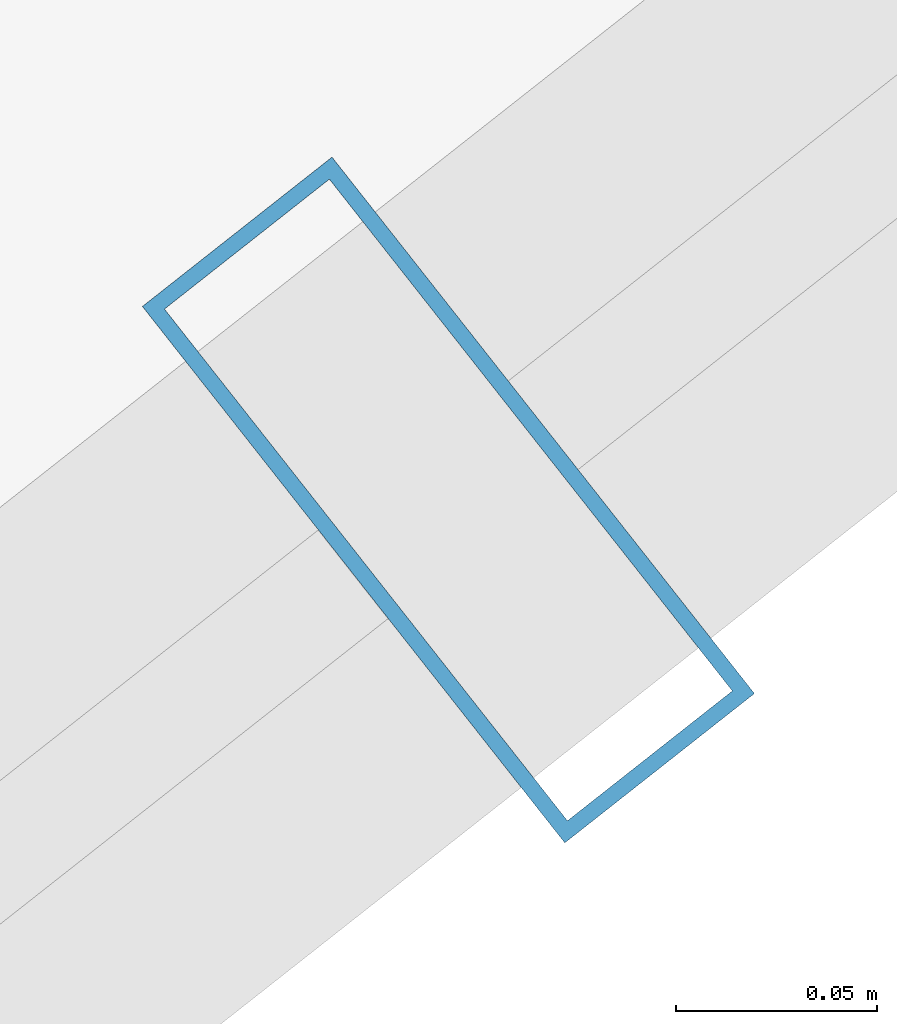
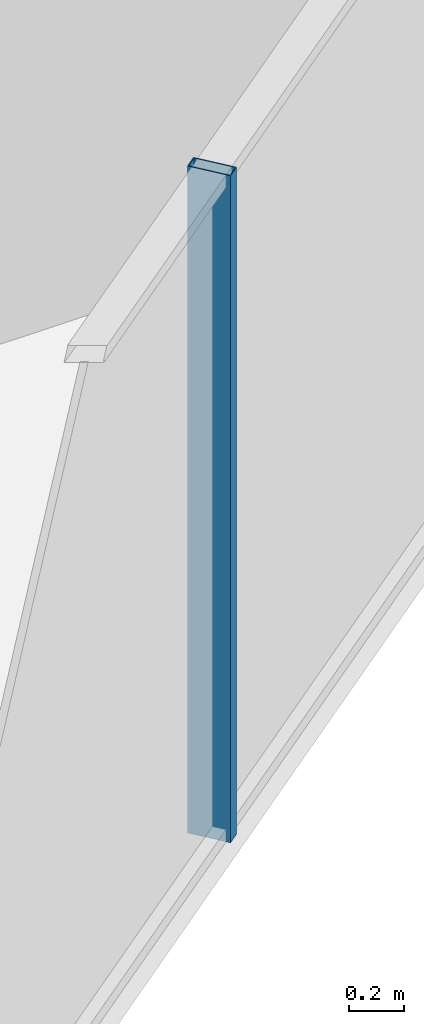
# One storey, part 14 of 34: 1 member, 1 element without a shape of its own.
"""IFC4 building model written with IfcOpenShell, lengths in metres."""

from ifc_helpers import new_model, si_unit, direction, frame, origin, origin_2d, place, context, subcontext, project, spatial, hollow_rectangle, extrude, source, transform, mapped, material, layer, layer_set, material_profile, profile_set, type_object, element, aggregate, save


model = new_model("IFC4")

# Units and contexts
model_context = context("Model", 3, precision=1e-05, world=origin(), true_north=direction((0.0, 1.0)))
body_context = subcontext(model_context, "Body", "Model", "MODEL_VIEW")
ifc_project = project(units=[si_unit("LENGTHUNIT", "METRE"), si_unit("AREAUNIT", "SQUARE_METRE"), si_unit("VOLUMEUNIT", "CUBIC_METRE"), si_unit("PLANEANGLEUNIT", "RADIAN"), si_unit("MASSUNIT", "GRAM", prefix="KILO")], contexts=[model_context])

# Site, building, storey
site_placement = place(None, origin())
site = spatial("IfcSite", under=ifc_project, at=site_placement, CompositionType="ELEMENT")
building_placement = place(site_placement, origin())
building = spatial("IfcBuilding", under=site, at=building_placement, Name="Veraguas Prism Commons", CompositionType="ELEMENT")
storey_placement = place(building_placement, frame((0.0, 0.0, 155.5)))
storey = spatial("IfcBuildingStorey", under=building, at=storey_placement, Name="L44", CompositionType="ELEMENT", Elevation=155.5)

# Curtain wall, member
ifc_material = material(Name="Anodised aluminium EN AW-6063 T6", Category="aluminium")
ifc_layer = layer(ifc_material, 0.169921875, Name="Unitised Flush Curtain Wall Zone 2", Category="aluminium")
ifc_layer_set = layer_set([ifc_layer], Name="Anodised aluminium EN AW-6063 T6")
curtain_wall_type = type_object("IfcCurtainWallType", Name="Unitised Flush Curtain Wall Zone 2", PredefinedType="NOTDEFINED", material=ifc_layer_set)
curtain_wall_placement = place(storey_placement, origin())
curtain_wall = element("IfcCurtainWall", 1, at=curtain_wall_placement, inside=storey, type_object=curtain_wall_type, Name="Tower Facade Curtain Wall L44-F5", PredefinedType="NOTDEFINED")
ifc_material_profile = material_profile(ifc_material, hollow_rectangle(XDim=0.06005859375, YDim=0.169921875, WallThickness=0.00390625, at=origin_2d()), Name="AL60X170X4")
ifc_profile_set = profile_set([ifc_material_profile], Name="Anodised aluminium EN AW-6063 T6")
member_type = type_object("IfcMemberType", Name="Curtain Wall Mullion Lower AL 60x170x4", PredefinedType="MULLION", material=ifc_profile_set)
shared_shape = source(origin(), body_context, "Body", "SweptSolid", [
    extrude(hollow_rectangle(XDim=0.06005859375, YDim=0.169921875, WallThickness=0.00390625, at=origin_2d()), origin(), (0.0, 0.0, 1.0), 2.969970703125),
])
member_placement = place(storey_placement, frame((35.867919921875, 8.929443359375, 0.0), z_axis=(0.0, 0.0, 1.0), x_axis=(0.785639900244, 0.618684044682, 0.0)))
member = element("IfcMember", 2, at=member_placement, type_object=member_type, Name="CW-Z2 Mullion 3", PredefinedType="MULLION", context=body_context, shape_type="MappedRepresentation", body=[
    mapped(shared_shape, transform((0.0, 0.0, 0.0), scale=1.0)),
])
aggregate(curtain_wall, [member])

save(model, "model.ifc")
